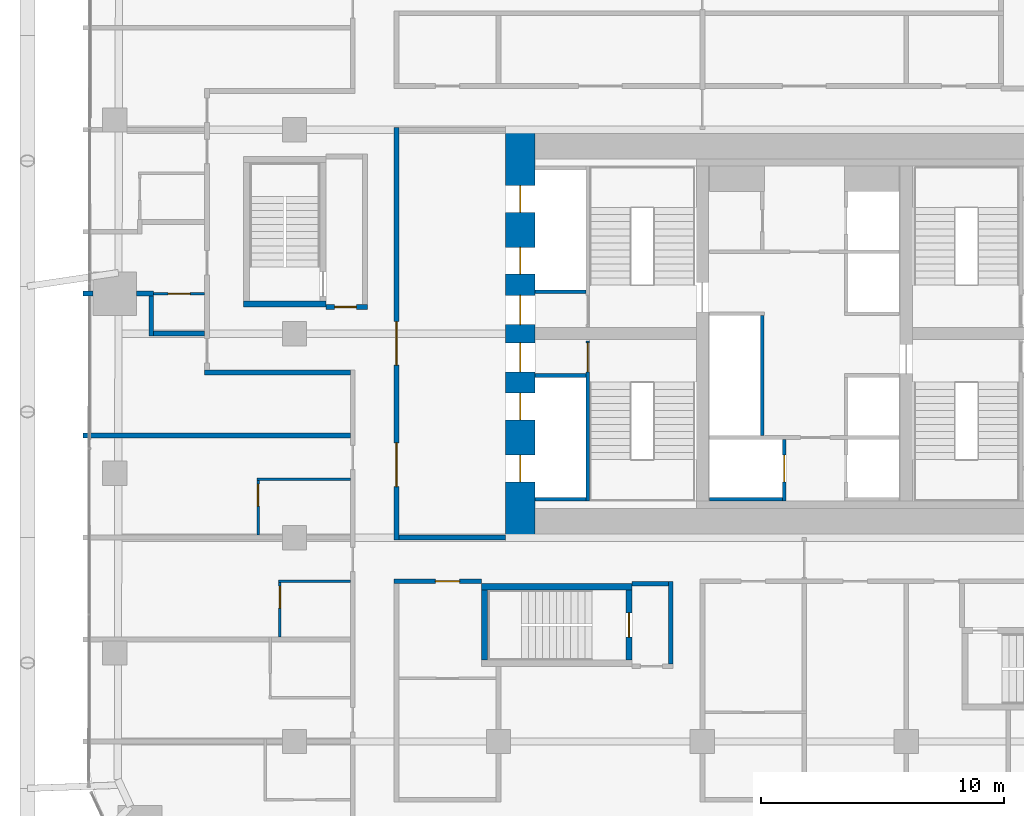
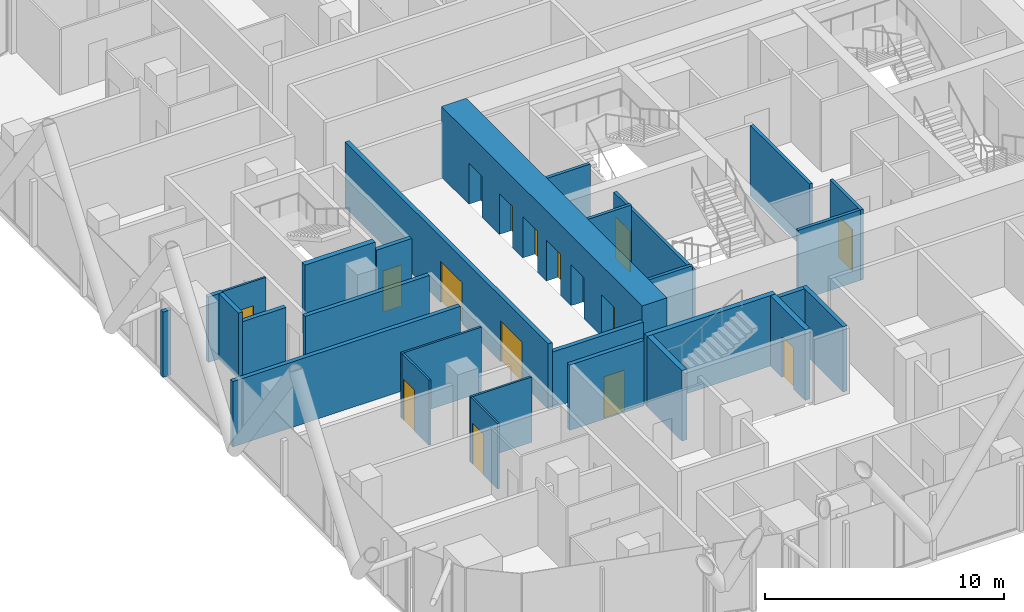
# One storey, part 29 of 38: 29 walls, 16 doors, 16 openings.
"""IFC4 building model written with IfcOpenShell, lengths in metres."""

from ifc_helpers import new_model, si_unit, direction, frame, frame_2d, origin, place, context, subcontext, project, spatial, rectangle, extrude, material, layer, layer_set, type_object, element, fill, save


model = new_model("IFC4")

# Units and contexts
model_context = context("Model", 3, precision=1e-05, world=origin(), true_north=direction((0.0, 1.0)))
body_context = subcontext(model_context, "Body", "Model", "MODEL_VIEW")
ifc_project = project(units=[si_unit("LENGTHUNIT", "METRE"), si_unit("AREAUNIT", "SQUARE_METRE"), si_unit("VOLUMEUNIT", "CUBIC_METRE"), si_unit("PLANEANGLEUNIT", "RADIAN"), si_unit("MASSUNIT", "GRAM", prefix="KILO")], contexts=[model_context])

# Site, building, storey
site_placement = place(None, origin())
site = spatial("IfcSite", under=ifc_project, at=site_placement, CompositionType="ELEMENT")
building_placement = place(site_placement, origin())
building = spatial("IfcBuilding", under=site, at=building_placement, Name="Marenta Gate Hotel Tower", CompositionType="ELEMENT")
storey_placement = place(building_placement, frame((0.0, 0.0, 40.10009765625)))
storey = spatial("IfcBuildingStorey", under=building, at=storey_placement, Name="L07", CompositionType="ELEMENT", Elevation=40.10009765625)

# Wall, openings, doors
ifc_material_1 = material(Name="Concrete blockwork", Category="masonry")
ifc_layer_1 = layer(ifc_material_1, 0.199951171875)
ifc_layer_set_1 = layer_set([ifc_layer_1], Name="Concrete blockwork")
wall_type_1 = type_object("IfcWallType", Name="Core boundary wall 200 REI 180", PredefinedType="PARTITIONING", material=ifc_layer_set_1)
wall_1_placement = place(storey_placement, frame((-16.800048828125, -0.10009765625, 0.0), z_axis=(0.0, 0.0, 1.0), x_axis=(0.0, 1.0, 0.0)))
wall_1 = element("IfcWall", 1, at=wall_1_placement, inside=storey, type_object=wall_type_1, Name="L07-CP-BW-W", PredefinedType="PARTITIONING", context=body_context, shape_type="SweptSolid", body=[
    extrude(rectangle(XDim=17.0, YDim=0.199951171875, at=frame_2d((8.5, 0.0))), origin(), (0.0, 0.0, 1.0), 3.33984375),
])
opening_1_placement = place(wall_1_placement, frame((2.199951171875, 0.0, 0.0)))
opening_1 = element("IfcOpeningElement", 2, at=opening_1_placement, cuts=wall_1, Name="Opening ED-Wa-B", PredefinedType="OPENING", context=body_context, shape_type="SweptSolid", body=[
    extrude(rectangle(XDim=1.800048828125, YDim=2.10009765625, at=frame_2d((0.89990234375, 1.050048828125))), frame((0.0, 0.10009765625, 0.0), z_axis=(0.0, -1.0, 0.0), x_axis=(1.0, 0.0, 0.0)), (0.0, 0.0, 1.0), 0.199951171875),
])
opening_2_placement = place(wall_1_placement, frame((7.199951171875, 0.0, 0.0)))
opening_2 = element("IfcOpeningElement", 3, at=opening_2_placement, cuts=wall_1, Name="Opening ED-Wb-B", PredefinedType="OPENING", context=body_context, shape_type="SweptSolid", body=[
    extrude(rectangle(XDim=1.800048828125, YDim=2.10009765625, at=frame_2d((0.89990234375, 1.050048828125))), frame((0.0, 0.10009765625, 0.0), z_axis=(0.0, -1.0, 0.0), x_axis=(1.0, 0.0, 0.0)), (0.0, 0.0, 1.0), 0.199951171875),
])
ifc_material_2 = material(Name="Steel", Category="steel")
door_type_1 = type_object("IfcDoorType", Name="Core lobby entrance door 1800x2100 EI 60", OperationType="DOUBLE_DOOR_SINGLE_SWING", PredefinedType="DOOR", material=ifc_material_2)
door_1_placement = place(opening_1_placement, origin())
door_1 = element("IfcDoor", 4, at=door_1_placement, inside=storey, type_object=door_type_1, Name="ED-Wa-B", OperationType="DOUBLE_DOOR_SINGLE_SWING", OverallHeight=2.10009765625, OverallWidth=1.800048828125, PredefinedType="DOOR", context=body_context, shape_type="SweptSolid", body=[
    extrude(rectangle(XDim=1.800048828125, YDim=2.10009765625, at=frame_2d((0.89990234375, 1.050048828125))), frame((0.0, 0.02490234375, 0.0), z_axis=(0.0, -1.0, 0.0), x_axis=(1.0, 0.0, 0.0)), (0.0, 0.0, 1.0), 0.050048828125),
])
fill(opening_1, door_1)
door_2_placement = place(opening_2_placement, origin())
door_2 = element("IfcDoor", 5, at=door_2_placement, inside=storey, type_object=door_type_1, Name="ED-Wb-B", OperationType="DOUBLE_DOOR_SINGLE_SWING", OverallHeight=2.10009765625, OverallWidth=1.800048828125, PredefinedType="DOOR", context=body_context, shape_type="SweptSolid", body=[
    extrude(rectangle(XDim=1.800048828125, YDim=2.10009765625, at=frame_2d((0.89990234375, 1.050048828125))), frame((0.0, 0.02490234375, 0.0), z_axis=(0.0, -1.0, 0.0), x_axis=(1.0, 0.0, 0.0)), (0.0, 0.0, 1.0), 0.050048828125),
])
fill(opening_2, door_2)

# Walls
wall_2_placement = place(storey_placement, frame((-16.699951171875, 0.0, 0.0), z_axis=(0.0, 0.0, 1.0), x_axis=(1.0, 0.0, 0.0)))
element("IfcWall", 6, at=wall_2_placement, inside=storey, type_object=wall_type_1, Name="L07-CP-EW-WS", PredefinedType="PARTITIONING", context=body_context, shape_type="SweptSolid", body=[
    extrude(rectangle(XDim=4.39990234375, YDim=0.199951171875, at=frame_2d((2.199951171875, 0.0))), origin(), (0.0, 0.0, 1.0), 2.83984375),
])
ifc_material_3 = material(Name="Concrete C40", Category="concrete")
ifc_layer_2 = layer(ifc_material_3, 0.14990234375)
ifc_layer_set_2 = layer_set([ifc_layer_2], Name="Concrete C40")
wall_type_2 = type_object("IfcWallType", Name="Core shaft wall 150 REI 180", PredefinedType="SHEAR", material=ifc_layer_set_2)
for number, where, z_axis, x_axis, name in (
    (7, (-11.10009765625, 6.675048828125, 0.0), (0.0, 0.0, 1.0), (1.0, 0.0, 0.0), "L07-SHF-SW-WS-2"),
    (8, (-11.10009765625, 1.574951171875, 0.0), (0.0, 0.0, 1.0), (1.0, 0.0, 0.0), "L07-SHF-SW-WS-5"),
    (9, (-11.10009765625, 10.125, 0.0), (0.0, 0.0, 1.0), (1.0, 0.0, 0.0), "L07-SHF-SW-WN-2"),
):
    element("IfcWall", number, at=place(storey_placement, frame(where, z_axis=z_axis, x_axis=x_axis)), inside=storey, type_object=wall_type_2, Name=name, PredefinedType="SHEAR", context=body_context, shape_type="SweptSolid", body=[
        extrude(rectangle(XDim=2.10009765625, YDim=0.14990234375, at=frame_2d((1.050048828125, 0.0))), origin(), (0.0, 0.0, 1.0), 3.599853515625),
    ])

# Wall, opening, door
wall_3_placement = place(storey_placement, frame((-0.824951171875, 1.5, 0.0), z_axis=(0.0, 0.0, 1.0), x_axis=(0.0, 1.0, 0.0)))
wall_3 = element("IfcWall", 10, at=wall_3_placement, inside=storey, type_object=wall_type_2, Name="L07-SHF-CW-W-ff", PredefinedType="SHEAR", context=body_context, shape_type="SweptSolid", body=[
    extrude(rectangle(XDim=2.550048828125, YDim=0.14990234375, at=frame_2d((1.27490234375, 0.0))), origin(), (0.0, 0.0, 1.0), 3.599853515625),
])
opening_3_placement = place(wall_3_placement, frame((0.800048828125, 0.0, 0.0)))
opening_3 = element("IfcOpeningElement", 11, at=opening_3_placement, cuts=wall_3, Name="Opening LD-FF1", PredefinedType="OPENING", context=body_context, shape_type="SweptSolid", body=[
    extrude(rectangle(XDim=1.10009765625, YDim=2.10009765625, at=frame_2d((0.550048828125, 1.050048828125))), frame((0.0, 0.074951171875, 0.0), z_axis=(0.0, -1.0, 0.0), x_axis=(1.0, 0.0, 0.0)), (0.0, 0.0, 1.0), 0.14990234375),
])
ifc_material_4 = material(Name="Steel", Category="steel")
door_type_2 = type_object("IfcDoorType", Name="Core lift landing door 1100x2100 E 60", OperationType="SLIDING_TO_LEFT", PredefinedType="DOOR", material=ifc_material_4)
door_3_placement = place(opening_3_placement, origin())
door_3 = element("IfcDoor", 12, at=door_3_placement, inside=storey, type_object=door_type_2, Name="LD-FF1", OperationType="SLIDING_TO_LEFT", OverallHeight=2.10009765625, OverallWidth=1.10009765625, PredefinedType="DOOR", context=body_context, shape_type="SweptSolid", body=[
    extrude(rectangle(XDim=1.10009765625, YDim=2.10009765625, at=frame_2d((0.550048828125, 1.050048828125))), frame((0.0, 0.02490234375, 0.0), z_axis=(0.0, -1.0, 0.0), x_axis=(1.0, 0.0, 0.0)), (0.0, 0.0, 1.0), 0.050048828125),
])
fill(opening_3, door_3)

# Walls
wall_4_placement = place(storey_placement, frame((-3.89990234375, 1.574951171875, 0.0), z_axis=(0.0, 0.0, 1.0), x_axis=(1.0, 0.0, 0.0)))
element("IfcWall", 13, at=wall_4_placement, inside=storey, type_object=wall_type_2, Name="L07-SHF-CW-W-ffs", PredefinedType="SHEAR", context=body_context, shape_type="SweptSolid", body=[
    extrude(rectangle(XDim=3.0, YDim=0.14990234375, at=frame_2d((1.5, 0.0))), origin(), (0.0, 0.0, 1.0), 3.599853515625),
])
wall_5_placement = place(storey_placement, frame((-1.72509765625, 4.199951171875, 0.0), z_axis=(0.0, 0.0, 1.0), x_axis=(0.0, 1.0, 0.0)))
element("IfcWall", 14, at=wall_5_placement, inside=storey, type_object=wall_type_2, Name="L07-SHF-CW-W-front", PredefinedType="SHEAR", context=body_context, shape_type="SweptSolid", body=[
    extrude(rectangle(XDim=4.949951171875, YDim=0.14990234375, at=frame_2d((2.47509765625, 0.0))), origin(), (0.0, 0.0, 1.0), 3.599853515625),
])

# Wall, opening, door
ifc_material_5 = material(Name="Concrete C40", Category="concrete")
ifc_layer_3 = layer(ifc_material_5, 0.14990234375)
ifc_layer_set_3 = layer_set([ifc_layer_3], Name="Concrete C40")
wall_type_3 = type_object("IfcWallType", Name="Core stair enclosure wall 150 REI 180", PredefinedType="SHEAR", material=ifc_layer_set_3)
wall_6_placement = place(storey_placement, frame((-8.925048828125, 1.5, 0.0), z_axis=(0.0, 0.0, 1.0), x_axis=(0.0, 1.0, 0.0)))
wall_6 = element("IfcWall", 15, at=wall_6_placement, inside=storey, type_object=wall_type_3, Name="L07-SHF-SW-WS-3", PredefinedType="SHEAR", context=body_context, shape_type="SweptSolid", body=[
    extrude(rectangle(XDim=6.60009765625, YDim=0.14990234375, at=frame_2d((3.300048828125, 0.0))), origin(), (0.0, 0.0, 1.0), 3.33984375),
])
opening_4_placement = place(wall_6_placement, frame((5.324951171875, 0.0, 0.0)))
opening_4 = element("IfcOpeningElement", 16, at=opening_4_placement, cuts=wall_6, Name="Opening SD-WS", PredefinedType="OPENING", context=body_context, shape_type="SweptSolid", body=[
    extrude(rectangle(XDim=1.199951171875, YDim=2.10009765625, at=frame_2d((0.60009765625, 1.050048828125))), frame((0.0, 0.074951171875, 0.0), z_axis=(0.0, -1.0, 0.0), x_axis=(1.0, 0.0, 0.0)), (0.0, 0.0, 1.0), 0.14990234375),
])
ifc_material_6 = material(Name="Steel", Category="steel")
door_type_3 = type_object("IfcDoorType", Name="Core stair door 1200x2100 FD60", OperationType="SINGLE_SWING_LEFT", PredefinedType="DOOR", material=ifc_material_6)
door_4_placement = place(opening_4_placement, origin())
door_4 = element("IfcDoor", 17, at=door_4_placement, inside=storey, type_object=door_type_3, Name="SD-WS", OperationType="SINGLE_SWING_LEFT", OverallHeight=2.10009765625, OverallWidth=1.199951171875, PredefinedType="DOOR", context=body_context, shape_type="SweptSolid", body=[
    extrude(rectangle(XDim=1.199951171875, YDim=2.10009765625, at=frame_2d((0.60009765625, 1.050048828125))), frame((0.0, 0.02490234375, 0.0), z_axis=(0.0, -1.0, 0.0), x_axis=(1.0, 0.0, 0.0)), (0.0, 0.0, 1.0), 0.050048828125),
])
fill(opening_4, door_4)

# Wall, openings, doors
ifc_material_7 = material(Name="Concrete C80", Category="concrete")
ifc_layer_4 = layer(ifc_material_7, 1.199951171875)
ifc_layer_set_4 = layer_set([ifc_layer_4], Name="Concrete C80")
wall_type_4 = type_object("IfcWallType", Name="Core wall 1200 C80", PredefinedType="SHEAR", material=ifc_layer_set_4)
wall_7_placement = place(storey_placement, frame((-11.699951171875, 0.0, 0.0), z_axis=(0.0, 0.0, 1.0), x_axis=(0.0, 1.0, 0.0)))
wall_7 = element("IfcWall", 18, at=wall_7_placement, inside=storey, type_object=wall_type_4, Name="L07-CORE-W", PredefinedType="SHEAR", context=body_context, shape_type="SweptSolid", body=[
    extrude(rectangle(XDim=16.800048828125, YDim=1.199951171875, at=frame_2d((8.39990234375, 0.0))), origin(), (0.0, 0.0, 1.0), 3.599853515625),
])
opening_5_placement = place(wall_7_placement, frame((2.300048828125, 0.0, 0.0)))
opening_5 = element("IfcOpeningElement", 19, at=opening_5_placement, cuts=wall_7, Name="Opening LD-LR1", PredefinedType="OPENING", context=body_context, shape_type="SweptSolid", body=[
    extrude(rectangle(XDim=1.10009765625, YDim=2.10009765625, at=frame_2d((0.550048828125, 1.050048828125))), frame((0.0, 0.60009765625, 0.0), z_axis=(0.0, -1.0, 0.0), x_axis=(1.0, 0.0, 0.0)), (0.0, 0.0, 1.0), 1.199951171875),
])
opening_6_placement = place(wall_7_placement, frame((4.85009765625, 0.0, 0.0)))
opening_6 = element("IfcOpeningElement", 20, at=opening_6_placement, cuts=wall_7, Name="Opening LD-LR2", PredefinedType="OPENING", context=body_context, shape_type="SweptSolid", body=[
    extrude(rectangle(XDim=1.10009765625, YDim=2.10009765625, at=frame_2d((0.550048828125, 1.050048828125))), frame((0.0, 0.60009765625, 0.0), z_axis=(0.0, -1.0, 0.0), x_axis=(1.0, 0.0, 0.0)), (0.0, 0.0, 1.0), 1.199951171875),
])
opening_7_placement = place(wall_7_placement, frame((6.824951171875, 0.0, 0.0)))
opening_7 = element("IfcOpeningElement", 21, at=opening_7_placement, cuts=wall_7, Name="Opening PD-WS", PredefinedType="OPENING", context=body_context, shape_type="SweptSolid", body=[
    extrude(rectangle(XDim=1.199951171875, YDim=2.10009765625, at=frame_2d((0.60009765625, 1.050048828125))), frame((0.0, 0.60009765625, 0.0), z_axis=(0.0, -1.0, 0.0), x_axis=(1.0, 0.0, 0.0)), (0.0, 0.0, 1.0), 1.199951171875),
])
opening_8_placement = place(wall_7_placement, frame((13.39990234375, 0.0, 0.0)))
opening_8 = element("IfcOpeningElement", 22, at=opening_8_placement, cuts=wall_7, Name="Opening LD-LR4", PredefinedType="OPENING", context=body_context, shape_type="SweptSolid", body=[
    extrude(rectangle(XDim=1.10009765625, YDim=2.10009765625, at=frame_2d((0.550048828125, 1.050048828125))), frame((0.0, 0.60009765625, 0.0), z_axis=(0.0, -1.0, 0.0), x_axis=(1.0, 0.0, 0.0)), (0.0, 0.0, 1.0), 1.199951171875),
])
opening_9_placement = place(wall_7_placement, frame((10.85009765625, 0.0, 0.0)))
opening_9 = element("IfcOpeningElement", 23, at=opening_9_placement, cuts=wall_7, Name="Opening LD-LR3", PredefinedType="OPENING", context=body_context, shape_type="SweptSolid", body=[
    extrude(rectangle(XDim=1.10009765625, YDim=2.10009765625, at=frame_2d((0.550048828125, 1.050048828125))), frame((0.0, 0.60009765625, 0.0), z_axis=(0.0, -1.0, 0.0), x_axis=(1.0, 0.0, 0.0)), (0.0, 0.0, 1.0), 1.199951171875),
])
opening_10_placement = place(wall_7_placement, frame((8.77490234375, 0.0, 0.0)))
opening_10 = element("IfcOpeningElement", 24, at=opening_10_placement, cuts=wall_7, Name="Opening PD-WN", PredefinedType="OPENING", context=body_context, shape_type="SweptSolid", body=[
    extrude(rectangle(XDim=1.199951171875, YDim=2.10009765625, at=frame_2d((0.60009765625, 1.050048828125))), frame((0.0, 0.60009765625, 0.0), z_axis=(0.0, -1.0, 0.0), x_axis=(1.0, 0.0, 0.0)), (0.0, 0.0, 1.0), 1.199951171875),
])
door_5_placement = place(opening_5_placement, origin())
door_5 = element("IfcDoor", 25, at=door_5_placement, inside=storey, type_object=door_type_2, Name="LD-LR1", OperationType="SLIDING_TO_LEFT", OverallHeight=2.10009765625, OverallWidth=1.10009765625, PredefinedType="DOOR", context=body_context, shape_type="SweptSolid", body=[
    extrude(rectangle(XDim=1.10009765625, YDim=2.10009765625, at=frame_2d((0.550048828125, 1.050048828125))), frame((0.0, 0.02490234375, 0.0), z_axis=(0.0, -1.0, 0.0), x_axis=(1.0, 0.0, 0.0)), (0.0, 0.0, 1.0), 0.050048828125),
])
fill(opening_5, door_5)
door_6_placement = place(opening_6_placement, origin())
door_6 = element("IfcDoor", 26, at=door_6_placement, inside=storey, type_object=door_type_2, Name="LD-LR2", OperationType="SLIDING_TO_LEFT", OverallHeight=2.10009765625, OverallWidth=1.10009765625, PredefinedType="DOOR", context=body_context, shape_type="SweptSolid", body=[
    extrude(rectangle(XDim=1.10009765625, YDim=2.10009765625, at=frame_2d((0.550048828125, 1.050048828125))), frame((0.0, 0.02490234375, 0.0), z_axis=(0.0, -1.0, 0.0), x_axis=(1.0, 0.0, 0.0)), (0.0, 0.0, 1.0), 0.050048828125),
])
fill(opening_6, door_6)
door_7_placement = place(opening_8_placement, origin())
door_7 = element("IfcDoor", 27, at=door_7_placement, inside=storey, type_object=door_type_2, Name="LD-LR4", OperationType="SLIDING_TO_LEFT", OverallHeight=2.10009765625, OverallWidth=1.10009765625, PredefinedType="DOOR", context=body_context, shape_type="SweptSolid", body=[
    extrude(rectangle(XDim=1.10009765625, YDim=2.10009765625, at=frame_2d((0.550048828125, 1.050048828125))), frame((0.0, 0.02490234375, 0.0), z_axis=(0.0, -1.0, 0.0), x_axis=(1.0, 0.0, 0.0)), (0.0, 0.0, 1.0), 0.050048828125),
])
fill(opening_8, door_7)
door_8_placement = place(opening_9_placement, origin())
door_8 = element("IfcDoor", 28, at=door_8_placement, inside=storey, type_object=door_type_2, Name="LD-LR3", OperationType="SLIDING_TO_LEFT", OverallHeight=2.10009765625, OverallWidth=1.10009765625, PredefinedType="DOOR", context=body_context, shape_type="SweptSolid", body=[
    extrude(rectangle(XDim=1.10009765625, YDim=2.10009765625, at=frame_2d((0.550048828125, 1.050048828125))), frame((0.0, 0.02490234375, 0.0), z_axis=(0.0, -1.0, 0.0), x_axis=(1.0, 0.0, 0.0)), (0.0, 0.0, 1.0), 0.050048828125),
])
fill(opening_9, door_8)
ifc_material_8 = material(Name="Steel", Category="steel")
door_type_4 = type_object("IfcDoorType", Name="Core lobby door 1200x2100 FD60", OperationType="SINGLE_SWING_LEFT", PredefinedType="DOOR", material=ifc_material_8)
door_9_placement = place(opening_7_placement, origin())
door_9 = element("IfcDoor", 29, at=door_9_placement, inside=storey, type_object=door_type_4, Name="PD-WS", OperationType="SINGLE_SWING_LEFT", OverallHeight=2.10009765625, OverallWidth=1.199951171875, PredefinedType="DOOR", context=body_context, shape_type="SweptSolid", body=[
    extrude(rectangle(XDim=1.199951171875, YDim=2.10009765625, at=frame_2d((0.60009765625, 1.050048828125))), frame((0.0, 0.02490234375, 0.0), z_axis=(0.0, -1.0, 0.0), x_axis=(1.0, 0.0, 0.0)), (0.0, 0.0, 1.0), 0.050048828125),
])
fill(opening_7, door_9)
door_10_placement = place(opening_10_placement, origin())
door_10 = element("IfcDoor", 30, at=door_10_placement, inside=storey, type_object=door_type_4, Name="PD-WN", OperationType="SINGLE_SWING_LEFT", OverallHeight=2.10009765625, OverallWidth=1.199951171875, PredefinedType="DOOR", context=body_context, shape_type="SweptSolid", body=[
    extrude(rectangle(XDim=1.199951171875, YDim=2.10009765625, at=frame_2d((0.60009765625, 1.050048828125))), frame((0.0, 0.02490234375, 0.0), z_axis=(0.0, -1.0, 0.0), x_axis=(1.0, 0.0, 0.0)), (0.0, 0.0, 1.0), 0.050048828125),
])
fill(opening_10, door_10)

# Walls
ifc_material_9 = material(Name="Concrete C40", Category="concrete")
ifc_layer_5 = layer(ifc_material_9, 0.25)
ifc_layer_set_5 = layer_set([ifc_layer_5], Name="Concrete C40")
wall_type_5 = type_object("IfcWallType", Name="Remote stair enclosure wall 250 REI 180", PredefinedType="SHEAR", material=ifc_layer_set_5)
wall_8_placement = place(storey_placement, frame((-13.300048828125, -2.02490234375, 0.099853515625), z_axis=(0.0, 0.0, 1.0), x_axis=(1.0, 0.0, 0.0)))
element("IfcWall", 31, at=wall_8_placement, inside=storey, type_object=wall_type_5, Name="L07-RS-Z1-2-W2", PredefinedType="SHEAR", context=body_context, shape_type="SweptSolid", body=[
    extrude(rectangle(XDim=6.199951171875, YDim=0.25, at=frame_2d((3.10009765625, 0.0))), origin(), (0.0, 0.0, 1.0), 3.60009765625),
])
wall_9_placement = place(storey_placement, frame((-13.175048828125, -5.050048828125, 0.099853515625), z_axis=(0.0, 0.0, 1.0), x_axis=(0.0, 1.0, 0.0)))
element("IfcWall", 32, at=wall_9_placement, inside=storey, type_object=wall_type_5, Name="L07-RS-Z1-2-W3", PredefinedType="SHEAR", context=body_context, shape_type="SweptSolid", body=[
    extrude(rectangle(XDim=2.900146484375, YDim=0.25, at=frame_2d((1.4501953125, 0.0))), origin(), (0.0, 0.0, 1.0), 3.60009765625),
])

# Wall, opening, door
wall_10_placement = place(storey_placement, frame((-7.22509765625, -5.050048828125, 0.099853515625), z_axis=(0.0, 0.0, 1.0), x_axis=(0.0, 1.0, 0.0)))
wall_10 = element("IfcWall", 33, at=wall_10_placement, inside=storey, type_object=wall_type_5, Name="L07-RS-Z1-2-W4", PredefinedType="SHEAR", context=body_context, shape_type="SweptSolid", body=[
    extrude(rectangle(XDim=2.900146484375, YDim=0.25, at=frame_2d((1.4501953125, 0.0))), origin(), (0.0, 0.0, 1.0), 3.60009765625),
])
opening_11_placement = place(wall_10_placement, frame((0.949951171875, 0.0, 0.0)))
opening_11 = element("IfcOpeningElement", 34, at=opening_11_placement, cuts=wall_10, Name="Opening VD", PredefinedType="OPENING", context=body_context, shape_type="SweptSolid", body=[
    extrude(rectangle(XDim=1.0, YDim=2.10009765625, at=frame_2d((0.5, 1.050048828125))), frame((0.0, 0.125, 0.0), z_axis=(0.0, -1.0, 0.0), x_axis=(1.0, 0.0, 0.0)), (0.0, 0.0, 1.0), 0.25),
])
ifc_material_10 = material(Name="Steel", Category="steel")
door_type_5 = type_object("IfcDoorType", Name="Stair vestibule door 1000x2100 FD60", OperationType="SINGLE_SWING_LEFT", PredefinedType="DOOR", material=ifc_material_10)
door_11_placement = place(opening_11_placement, origin())
door_11 = element("IfcDoor", 35, at=door_11_placement, inside=storey, type_object=door_type_5, Name="VD", OperationType="SINGLE_SWING_LEFT", OverallHeight=2.10009765625, OverallWidth=1.0, PredefinedType="DOOR", context=body_context, shape_type="SweptSolid", body=[
    extrude(rectangle(XDim=1.0, YDim=2.10009765625, at=frame_2d((0.5, 1.050048828125))), frame((0.0, 0.02490234375, 0.0), z_axis=(0.0, -1.0, 0.0), x_axis=(1.0, 0.0, 0.0)), (0.0, 0.0, 1.0), 0.050048828125),
])
fill(opening_11, door_11)

# Wall
wall_11_placement = place(storey_placement, frame((-23.10009765625, 9.625, 0.099853515625), z_axis=(0.0, 0.0, 1.0), x_axis=(1.0, 0.0, 0.0)))
element("IfcWall", 36, at=wall_11_placement, inside=storey, type_object=wall_type_5, Name="L07-RS-Z1-3-W1", PredefinedType="SHEAR", context=body_context, shape_type="SweptSolid", body=[
    extrude(rectangle(XDim=3.400146484375, YDim=0.25, at=frame_2d((1.7001953125, 0.0))), origin(), (0.0, 0.0, 1.0), 3.60009765625),
])

# Wall, opening, door
ifc_material_11 = material(Name="Gypsum board on steel stud", Category="steel")
ifc_layer_6 = layer(ifc_material_11, 0.199951171875)
ifc_layer_set_6 = layer_set([ifc_layer_6], Name="Gypsum board on steel stud")
wall_type_6 = type_object("IfcWallType", Name="Room corridor wall 200 EI 60", PredefinedType="PARTITIONING", material=ifc_layer_set_6)
wall_12_placement = place(storey_placement, frame((-16.89990234375, -1.800048828125, 0.0), z_axis=(0.0, 0.0, 1.0), x_axis=(1.0, 0.0, 0.0)))
wall_12 = element("IfcWall", 37, at=wall_12_placement, inside=storey, type_object=wall_type_6, Name="L07-PTN-W066", PredefinedType="PARTITIONING", context=body_context, shape_type="SweptSolid", body=[
    extrude(rectangle(XDim=3.599853515625, YDim=0.199951171875, at=frame_2d((1.7998046875, 0.0))), origin(), (0.0, 0.0, 1.0), 3.33984375),
])
opening_12_placement = place(wall_12_placement, frame((1.699951171875, 0.0, 0.0)))
opening_12 = element("IfcOpeningElement", 38, at=opening_12_placement, cuts=wall_12, Name="Opening G02-06", PredefinedType="OPENING", context=body_context, shape_type="SweptSolid", body=[
    extrude(rectangle(XDim=1.0, YDim=2.10009765625, at=frame_2d((0.5, 1.050048828125))), frame((0.0, 0.10009765625, 0.0), z_axis=(0.0, -1.0, 0.0), x_axis=(1.0, 0.0, 0.0)), (0.0, 0.0, 1.0), 0.199951171875),
])
ifc_material_12 = material(Name="Hollow steel door set", Category="steel")
door_type_6 = type_object("IfcDoorType", Name="Room service door 1000x2100 EI 30", OperationType="NOTDEFINED", PredefinedType="DOOR", material=ifc_material_12)
door_12_placement = place(opening_12_placement, origin())
door_12 = element("IfcDoor", 39, at=door_12_placement, inside=storey, type_object=door_type_6, Name="L07-PD-D006", OperationType="SINGLE_SWING_RIGHT", OverallHeight=2.10009765625, OverallWidth=1.0, PredefinedType="DOOR", context=body_context, shape_type="SweptSolid", body=[
    extrude(rectangle(XDim=1.0, YDim=2.10009765625, at=frame_2d((0.5, 1.050048828125))), frame((0.0, 0.02490234375, 0.0), z_axis=(0.0, -1.0, 0.0), x_axis=(1.0, 0.0, 0.0)), (0.0, 0.0, 1.0), 0.050048828125),
])
fill(opening_12, door_12)

# Walls
wall_13_placement = place(storey_placement, frame((-24.699951171875, 6.800048828125, 0.0), z_axis=(0.0, 0.0, 1.0), x_axis=(1.0, 0.0, 0.0)))
element("IfcWall", 40, at=wall_13_placement, inside=storey, type_object=wall_type_6, Name="L07-PTN-W085", PredefinedType="PARTITIONING", context=body_context, shape_type="SweptSolid", body=[
    extrude(rectangle(XDim=6.0, YDim=0.199951171875, at=frame_2d((3.0, 0.0))), origin(), (0.0, 0.0, 1.0), 3.33984375),
])
ifc_material_13 = material(Name="Concrete blockwork", Category="masonry")
ifc_layer_7 = layer(ifc_material_13, 0.199951171875)
ifc_layer_set_7 = layer_set([ifc_layer_7], Name="Concrete blockwork")
wall_type_7 = type_object("IfcWallType", Name="Room corridor wall 200 REI 180", PredefinedType="PARTITIONING", material=ifc_layer_set_7)
wall_14_placement = place(storey_placement, frame((-7.10009765625, -1.89990234375, 0.0), z_axis=(0.0, 0.0, 1.0), x_axis=(1.0, 0.0, 0.0)))
element("IfcWall", 41, at=wall_14_placement, inside=storey, type_object=wall_type_7, Name="L07-PTN-W064", PredefinedType="PARTITIONING", context=body_context, shape_type="SweptSolid", body=[
    extrude(rectangle(XDim=1.5, YDim=0.199951171875, at=frame_2d((0.75, 0.0))), origin(), (0.0, 0.0, 1.0), 3.33984375),
])
wall_15_placement = place(storey_placement, frame((-5.5, -5.199951171875, 0.0), z_axis=(0.0, 0.0, 1.0), x_axis=(0.0, 1.0, 0.0)))
element("IfcWall", 42, at=wall_15_placement, inside=storey, type_object=wall_type_7, Name="L07-PTN-W082", PredefinedType="PARTITIONING", context=body_context, shape_type="SweptSolid", body=[
    extrude(rectangle(XDim=3.39990234375, YDim=0.199951171875, at=frame_2d((1.699951171875, 0.0))), origin(), (0.0, 0.0, 1.0), 3.33984375),
])

# Wall, opening, door
wall_16_placement = place(storey_placement, frame((-19.699951171875, 9.5, 0.0), z_axis=(0.0, 0.0, 1.0), x_axis=(1.0, 0.0, 0.0)))
wall_16 = element("IfcWall", 43, at=wall_16_placement, inside=storey, type_object=wall_type_7, Name="L07-PTN-W090", PredefinedType="PARTITIONING", context=body_context, shape_type="SweptSolid", body=[
    extrude(rectangle(XDim=1.699951171875, YDim=0.199951171875, at=frame_2d((0.85009765625, 0.0))), origin(), (0.0, 0.0, 1.0), 3.33984375),
])
opening_13_placement = place(wall_16_placement, frame((0.35009765625, 0.0, 0.0)))
opening_13 = element("IfcOpeningElement", 44, at=opening_13_placement, cuts=wall_16, Name="Opening G02-70", PredefinedType="OPENING", context=body_context, shape_type="SweptSolid", body=[
    extrude(rectangle(XDim=0.89990234375, YDim=2.10009765625, at=frame_2d((0.449951171875, 1.050048828125))), frame((0.0, 0.10009765625, 0.0), z_axis=(0.0, -1.0, 0.0), x_axis=(1.0, 0.0, 0.0)), (0.0, 0.0, 1.0), 0.199951171875),
])
ifc_material_14 = material(Name="Hollow steel door set", Category="steel")
door_type_7 = type_object("IfcDoorType", Name="Stair vestibule door 900x2100 EI 60", OperationType="NOTDEFINED", PredefinedType="DOOR", material=ifc_material_14)
door_13_placement = place(opening_13_placement, origin())
door_13 = element("IfcDoor", 45, at=door_13_placement, inside=storey, type_object=door_type_7, Name="L07-PD-D070", OperationType="SINGLE_SWING_RIGHT", OverallHeight=2.10009765625, OverallWidth=0.89990234375, PredefinedType="DOOR", context=body_context, shape_type="SweptSolid", body=[
    extrude(rectangle(XDim=0.89990234375, YDim=2.10009765625, at=frame_2d((0.449951171875, 1.050048828125))), frame((0.0, 0.02490234375, 0.0), z_axis=(0.0, -1.0, 0.0), x_axis=(1.0, 0.0, 0.0)), (0.0, 0.0, 1.0), 0.050048828125),
])
fill(opening_13, door_13)

# Walls
ifc_material_15 = material(Name="Gypsum board on steel stud", Category="steel")
ifc_layer_8 = layer(ifc_material_15, 0.10009765625)
ifc_layer_set_8 = layer_set([ifc_layer_8], Name="Gypsum board on steel stud")
wall_type_8 = type_object("IfcWallType", Name="Room partition 100", PredefinedType="PARTITIONING", material=ifc_layer_set_8)
wall_17_placement = place(storey_placement, frame((-21.64990234375, -1.800048828125, 0.0), z_axis=(0.0, 0.0, 1.0), x_axis=(1.0, 0.0, 0.0)))
element("IfcWall", 46, at=wall_17_placement, inside=storey, type_object=wall_type_8, Name="L07-PTN-W065", PredefinedType="PARTITIONING", context=body_context, shape_type="SweptSolid", body=[
    extrude(rectangle(XDim=2.949951171875, YDim=0.10009765625, at=frame_2d((1.47509765625, 0.0))), origin(), (0.0, 0.0, 1.0), 3.33984375),
])
wall_18_placement = place(storey_placement, frame((-22.550048828125, 2.39990234375, 0.0), z_axis=(0.0, 0.0, 1.0), x_axis=(1.0, 0.0, 0.0)))
element("IfcWall", 47, at=wall_18_placement, inside=storey, type_object=wall_type_8, Name="L07-PTN-W076", PredefinedType="PARTITIONING", context=body_context, shape_type="SweptSolid", body=[
    extrude(rectangle(XDim=3.85009765625, YDim=0.10009765625, at=frame_2d((1.925048828125, 0.0))), origin(), (0.0, 0.0, 1.0), 3.33984375),
])

# Wall, opening, door
wall_19_placement = place(storey_placement, frame((-27.0, 10.050048828125, 0.0), z_axis=(0.0, 0.0, 1.0), x_axis=(1.0, 0.0, 0.0)))
wall_19 = element("IfcWall", 48, at=wall_19_placement, inside=storey, type_object=wall_type_8, Name="L07-PTN-W092", PredefinedType="PARTITIONING", context=body_context, shape_type="SweptSolid", body=[
    extrude(rectangle(XDim=2.300048828125, YDim=0.10009765625, at=frame_2d((1.14990234375, 0.0))), origin(), (0.0, 0.0, 1.0), 3.33984375),
])
opening_14_placement = place(wall_19_placement, frame((0.800048828125, 0.0, 0.0)))
opening_14 = element("IfcOpeningElement", 49, at=opening_14_placement, cuts=wall_19, Name="Opening G02-83", PredefinedType="OPENING", context=body_context, shape_type="SweptSolid", body=[
    extrude(rectangle(XDim=0.89990234375, YDim=2.10009765625, at=frame_2d((0.449951171875, 1.050048828125))), frame((0.0, 0.050048828125, 0.0), z_axis=(0.0, -1.0, 0.0), x_axis=(1.0, 0.0, 0.0)), (0.0, 0.0, 1.0), 0.10009765625),
])
ifc_material_16 = material(Name="Timber door leaf", Category="wood")
door_type_8 = type_object("IfcDoorType", Name="Guest bathroom door 900x2100", OperationType="NOTDEFINED", PredefinedType="DOOR", material=ifc_material_16)
door_14_placement = place(opening_14_placement, origin())
door_14 = element("IfcDoor", 50, at=door_14_placement, inside=storey, type_object=door_type_8, Name="L07-PD-D083", OperationType="SINGLE_SWING_LEFT", OverallHeight=2.10009765625, OverallWidth=0.89990234375, PredefinedType="DOOR", context=body_context, shape_type="SweptSolid", body=[
    extrude(rectangle(XDim=0.89990234375, YDim=2.10009765625, at=frame_2d((0.449951171875, 1.050048828125))), frame((0.0, 0.02490234375, 0.0), z_axis=(0.0, -1.0, 0.0), x_axis=(1.0, 0.0, 0.0)), (0.0, 0.0, 1.0), 0.050048828125),
])
fill(opening_14, door_14)

wall_20_placement = place(storey_placement, frame((-21.60009765625, -4.10009765625, 0.0), z_axis=(0.0, 0.0, 1.0), x_axis=(0.0, 1.0, 0.0)))
wall_20 = element("IfcWall", 51, at=wall_20_placement, inside=storey, type_object=wall_type_8, Name="L07-PTN-W125", PredefinedType="PARTITIONING", context=body_context, shape_type="SweptSolid", body=[
    extrude(rectangle(XDim=2.25, YDim=0.10009765625, at=frame_2d((1.125, 0.0))), origin(), (0.0, 0.0, 1.0), 3.33984375),
])
opening_15_placement = place(wall_20_placement, frame((1.199951171875, 0.0, 0.0)))
opening_15 = element("IfcOpeningElement", 52, at=opening_15_placement, cuts=wall_20, Name="Opening G02-58", PredefinedType="OPENING", context=body_context, shape_type="SweptSolid", body=[
    extrude(rectangle(XDim=0.89990234375, YDim=2.10009765625, at=frame_2d((0.449951171875, 1.050048828125))), frame((0.0, 0.050048828125, 0.0), z_axis=(0.0, -1.0, 0.0), x_axis=(1.0, 0.0, 0.0)), (0.0, 0.0, 1.0), 0.10009765625),
])
door_15_placement = place(opening_15_placement, origin())
door_15 = element("IfcDoor", 53, at=door_15_placement, inside=storey, type_object=door_type_8, Name="L07-PD-D058", OperationType="SINGLE_SWING_LEFT", OverallHeight=2.10009765625, OverallWidth=0.89990234375, PredefinedType="DOOR", context=body_context, shape_type="SweptSolid", body=[
    extrude(rectangle(XDim=0.89990234375, YDim=2.10009765625, at=frame_2d((0.449951171875, 1.050048828125))), frame((0.0, 0.02490234375, 0.0), z_axis=(0.0, -1.0, 0.0), x_axis=(1.0, 0.0, 0.0)), (0.0, 0.0, 1.0), 0.050048828125),
])
fill(opening_15, door_15)

wall_21_placement = place(storey_placement, frame((-22.5, 0.10009765625, 0.0), z_axis=(0.0, 0.0, 1.0), x_axis=(0.0, 1.0, 0.0)))
wall_21 = element("IfcWall", 54, at=wall_21_placement, inside=storey, type_object=wall_type_8, Name="L07-PTN-W132", PredefinedType="PARTITIONING", context=body_context, shape_type="SweptSolid", body=[
    extrude(rectangle(XDim=2.25, YDim=0.10009765625, at=frame_2d((1.125, 0.0))), origin(), (0.0, 0.0, 1.0), 3.33984375),
])
opening_16_placement = place(wall_21_placement, frame((1.199951171875, 0.0, 0.0)))
opening_16 = element("IfcOpeningElement", 55, at=opening_16_placement, cuts=wall_21, Name="Opening G02-60", PredefinedType="OPENING", context=body_context, shape_type="SweptSolid", body=[
    extrude(rectangle(XDim=0.89990234375, YDim=2.10009765625, at=frame_2d((0.449951171875, 1.050048828125))), frame((0.0, 0.050048828125, 0.0), z_axis=(0.0, -1.0, 0.0), x_axis=(1.0, 0.0, 0.0)), (0.0, 0.0, 1.0), 0.10009765625),
])
door_16_placement = place(opening_16_placement, origin())
door_16 = element("IfcDoor", 56, at=door_16_placement, inside=storey, type_object=door_type_8, Name="L07-PD-D060", OperationType="SINGLE_SWING_LEFT", OverallHeight=2.10009765625, OverallWidth=0.89990234375, PredefinedType="DOOR", context=body_context, shape_type="SweptSolid", body=[
    extrude(rectangle(XDim=0.89990234375, YDim=2.10009765625, at=frame_2d((0.449951171875, 1.050048828125))), frame((0.0, 0.02490234375, 0.0), z_axis=(0.0, -1.0, 0.0), x_axis=(1.0, 0.0, 0.0)), (0.0, 0.0, 1.0), 0.050048828125),
])
fill(opening_16, door_16)

# Walls
ifc_material_17 = material(Name="Gypsum board on steel stud", Category="steel")
ifc_layer_9 = layer(ifc_material_17, 0.199951171875)
ifc_layer_set_9 = layer_set([ifc_layer_9], Name="Gypsum board on steel stud")
wall_type_9 = type_object("IfcWallType", Name="Room party wall 200 EI 60", PredefinedType="PARTITIONING", material=ifc_layer_set_9)
wall_22_placement = place(storey_placement, frame((-29.699951171875, 4.199951171875, 0.0), z_axis=(0.0, 0.0, 1.0), x_axis=(1.0, 0.0, 0.0)))
element("IfcWall", 57, at=wall_22_placement, inside=storey, type_object=wall_type_9, Name="L07-PTN-W081", PredefinedType="PARTITIONING", context=body_context, shape_type="SweptSolid", body=[
    extrude(rectangle(XDim=11.0, YDim=0.199951171875, at=frame_2d((5.5, 0.0))), origin(), (0.0, 0.0, 1.0), 3.33984375),
])
wall_23_placement = place(storey_placement, frame((-26.800048828125, 8.39990234375, 0.0), z_axis=(0.0, 0.0, 1.0), x_axis=(1.0, 0.0, 0.0)))
element("IfcWall", 58, at=wall_23_placement, inside=storey, type_object=wall_type_9, Name="L07-PTN-W088", PredefinedType="PARTITIONING", context=body_context, shape_type="SweptSolid", body=[
    extrude(rectangle(XDim=2.10009765625, YDim=0.199951171875, at=frame_2d((1.050048828125, 0.0))), origin(), (0.0, 0.0, 1.0), 2.83984375),
])
wall_24_placement = place(storey_placement, frame((-29.699951171875, 10.050048828125, 0.0), z_axis=(0.0, 0.0, 1.0), x_axis=(1.0, 0.0, 0.0)))
element("IfcWall", 59, at=wall_24_placement, inside=storey, type_object=wall_type_9, Name="L07-PTN-W091", PredefinedType="PARTITIONING", context=body_context, shape_type="SweptSolid", body=[
    extrude(rectangle(XDim=0.39990234375, YDim=0.199951171875, at=frame_2d((0.199951171875, 0.0))), origin(), (0.0, 0.0, 1.0), 3.33984375),
])
wall_25_placement = place(storey_placement, frame((-27.5, 10.050048828125, 0.0), z_axis=(0.0, 0.0, 1.0), x_axis=(1.0, 0.0, 0.0)))
element("IfcWall", 60, at=wall_25_placement, inside=storey, type_object=wall_type_9, Name="L07-PTN-W157", PredefinedType="PARTITIONING", context=body_context, shape_type="SweptSolid", body=[
    extrude(rectangle(XDim=0.699951171875, YDim=0.199951171875, at=frame_2d((0.35009765625, 0.0))), origin(), (0.0, 0.0, 1.0), 3.33984375),
])
wall_26_placement = place(storey_placement, frame((-26.89990234375, 8.300048828125, 0.0), z_axis=(0.0, 0.0, 1.0), x_axis=(0.0, 1.0, 0.0)))
element("IfcWall", 61, at=wall_26_placement, inside=storey, type_object=wall_type_9, Name="L07-PTN-W146", PredefinedType="PARTITIONING", context=body_context, shape_type="SweptSolid", body=[
    extrude(rectangle(XDim=1.699951171875, YDim=0.199951171875, at=frame_2d((0.85009765625, 0.0))), origin(), (0.0, 0.0, 1.0), 3.33984375),
])

save(model, "model.ifc")
